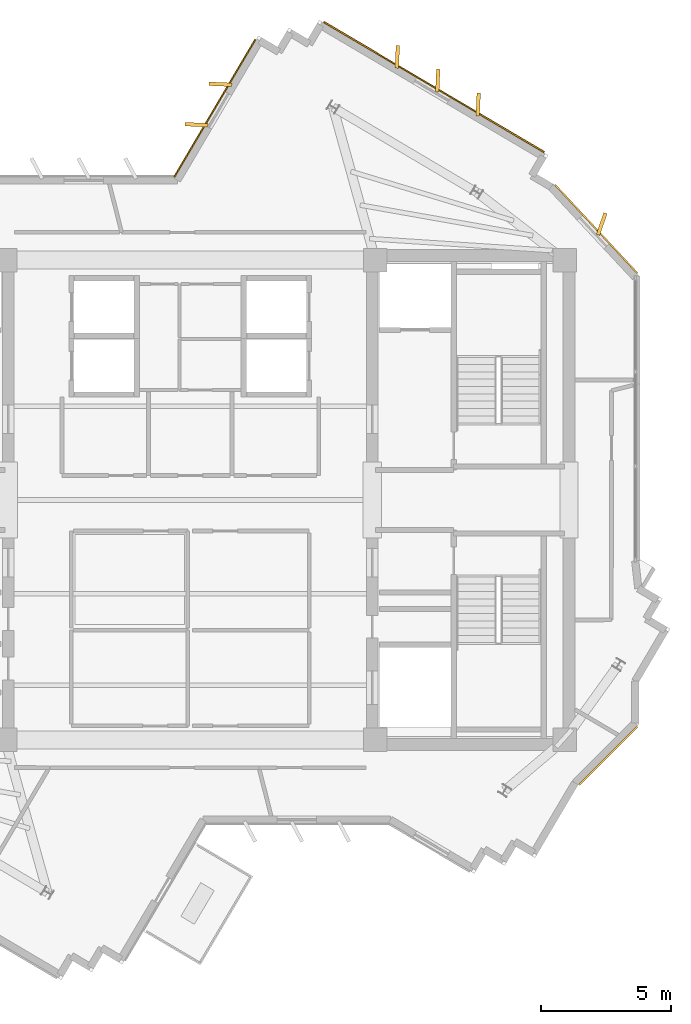
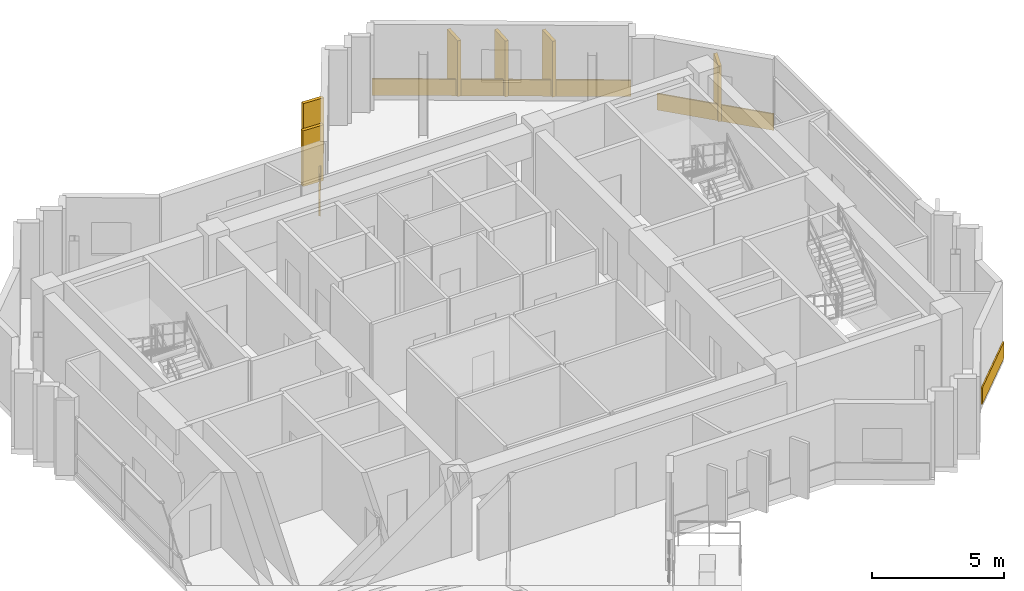
# One storey, part 10 of 10: 10 coverings.
"""IFC4 building model written with IfcOpenShell, lengths in metres."""

import ifcopenshell
import ifcopenshell.guid

model = None  # the IFC model being written
_history = None  # IfcOwnerHistory: only IFC2X3 demands one
_inside = {}  # id of a spatial element -> (the spatial element, [elements in it])
_under = {}  # id of a project, library or spatial element -> (it, [spatial elements below it])
_declared = {}  # id of a project -> (the project, [libraries it declares])
_typed = {}  # id of a type object -> (the type object, [elements of that type])
_made_of = {}  # id of a material, layer set ... -> (it, [elements and type objects made of it])


def new_model(schema):
    """Start an empty IFC model of exactly this schema.

    Asked for "IFC4X3", IfcOpenShell would pick the latest addendum, in which some entities
    have other attributes; the version numbers below select the first issue.
    IFC2X3 requires an IfcOwnerHistory on every rooted entity: one is made here for all.
    """
    global model, _history
    if schema == "IFC4X3":
        model = ifcopenshell.file(schema_version=(4, 3, 0, 0))
    else:
        model = ifcopenshell.file(schema=schema)
    _inside.clear()
    _under.clear()
    _declared.clear()
    _typed.clear()
    _made_of.clear()
    _history = None
    if model.schema == "IFC2X3":
        org = make("IfcOrganization", Name="unknown")
        user = make(
            "IfcPersonAndOrganization",
            ThePerson=make("IfcPerson", FamilyName="unknown"),
            TheOrganization=org,
        )
        app = make(
            "IfcApplication",
            ApplicationDeveloper=org,
            Version="unknown",
            ApplicationFullName="unknown",
            ApplicationIdentifier="unknown",
        )
        _history = make(
            "IfcOwnerHistory",
            OwningUser=user,
            OwningApplication=app,
            ChangeAction="ADDED",
            CreationDate=0,
        )
    return model


def make(cls, **values):
    """One entity of the class cls with the attributes given. An attribute that is None is left unset."""
    return model.create_entity(
        cls, **{name: value for name, value in values.items() if value is not None}
    )


def rooted(cls, **values):
    """An entity with a GlobalId (a new one), such as an element, a storey or a relation."""
    return make(cls, GlobalId=ifcopenshell.guid.new(), OwnerHistory=_history, **values)


def si_unit(unit_type, name, prefix=None):
    """IfcSIUnit, for example si_unit("LENGTHUNIT", "METRE", prefix="MILLI")."""
    return make("IfcSIUnit", UnitType=unit_type, Prefix=prefix, Name=name)


def assignment(units):
    """IfcUnitAssignment: the units of a project."""
    return None if units is None else make("IfcUnitAssignment", Units=units)


def point(xyz):
    """IfcCartesianPoint."""
    return None if xyz is None else make("IfcCartesianPoint", Coordinates=xyz)


def direction(xyz):
    """IfcDirection."""
    return None if xyz is None else make("IfcDirection", DirectionRatios=xyz)


def frame(location, z_axis=None, x_axis=None):
    """IfcAxis2Placement3D, a coordinate frame: its origin and axes. An axis left out is left unset."""
    return make(
        "IfcAxis2Placement3D",
        Location=point(location),
        Axis=direction(z_axis),
        RefDirection=direction(x_axis),
    )


def frame_2d(location, x_axis=None):
    """IfcAxis2Placement2D, a coordinate frame in the plane: its origin and x axis."""
    return make(
        "IfcAxis2Placement2D", Location=point(location), RefDirection=direction(x_axis)
    )


def origin():
    """The frame at (0, 0, 0) with its axes left unset."""
    return frame((0.0, 0.0, 0.0))


def origin_2d():
    """The frame at (0, 0) in the plane with its x axis left unset."""
    return frame_2d((0.0, 0.0))


def place(relative_to, where):
    """IfcLocalPlacement: puts the frame where relative to a parent placement (None: the world)."""
    return make(
        "IfcLocalPlacement", PlacementRelTo=relative_to, RelativePlacement=where
    )


def context(
    kind, dimensions, precision=None, world=None, true_north=None, identifier=None
):
    """IfcGeometricRepresentationContext, for example the 3D "Model" context."""
    return make(
        "IfcGeometricRepresentationContext",
        ContextIdentifier=identifier,
        ContextType=kind,
        CoordinateSpaceDimension=dimensions,
        Precision=precision,
        WorldCoordinateSystem=world,
        TrueNorth=true_north,
    )


def subcontext(parent, identifier, kind, view, scale=None):
    """IfcGeometricRepresentationSubContext, for example "Body" below "Model"."""
    return make(
        "IfcGeometricRepresentationSubContext",
        ContextIdentifier=identifier,
        ContextType=kind,
        ParentContext=parent,
        TargetScale=scale,
        TargetView=view,
    )


def project(units=None, contexts=None):
    """IfcProject with its units and contexts."""
    return rooted(
        "IfcProject",
        Name="project",
        RepresentationContexts=contexts,
        UnitsInContext=assignment(units),
    )


def spatial(cls, under=None, at=None, **own):
    """A site, building, storey or space (cls), placed at a placement, below another one or the project."""
    s = rooted(cls, ObjectPlacement=at, **own)
    if under is not None:
        _under.setdefault(under.id(), (under, []))[1].append(s)
    return s


def profile(cls, at=None, kind="AREA", **sizes):
    """A parametric profile (cls). Its sizes go by their IFC names, for example OverallWidth=200.0."""
    return make(cls, ProfileType=kind, Position=at, **sizes)


def rectangle(**sizes):
    """IfcRectangleProfileDef."""
    return profile("IfcRectangleProfileDef", **sizes)


def extrude(swept, where, along, depth):
    """IfcExtrudedAreaSolid: the profile swept, set in the frame where, extruded along a direction by depth."""
    return make(
        "IfcExtrudedAreaSolid",
        SweptArea=swept,
        Position=where,
        ExtrudedDirection=direction(along),
        Depth=depth,
    )


def shape(context_of_items, identifier, shape_type, items):
    """IfcShapeRepresentation: the items that make up one representation, for example the "Body"."""
    return make(
        "IfcShapeRepresentation",
        ContextOfItems=context_of_items,
        RepresentationIdentifier=identifier,
        RepresentationType=shape_type,
        Items=items,
    )


def source(mapping_origin, context_of_items, identifier, shape_type, items):
    """IfcRepresentationMap: a shape defined once, which mapped items show again and again."""
    return make(
        "IfcRepresentationMap",
        MappingOrigin=mapping_origin,
        MappedRepresentation=shape(context_of_items, identifier, shape_type, items),
    )


def transform(
    local_origin,
    x_axis=None,
    y_axis=None,
    z_axis=None,
    scale=None,
    scale2=None,
    scale3=None,
    uniform=True,
):
    """IfcCartesianTransformationOperator3D, or its non-uniform kind. x_axis, y_axis, z_axis: its Axis1, 2, 3."""
    if uniform:
        return make(
            "IfcCartesianTransformationOperator3D",
            Axis1=direction(x_axis),
            Axis2=direction(y_axis),
            LocalOrigin=point(local_origin),
            Scale=scale,
            Axis3=direction(z_axis),
        )
    return make(
        "IfcCartesianTransformationOperator3DnonUniform",
        Axis1=direction(x_axis),
        Axis2=direction(y_axis),
        LocalOrigin=point(local_origin),
        Scale=scale,
        Axis3=direction(z_axis),
        Scale2=scale2,
        Scale3=scale3,
    )


def mapped(mapping_source, mapping_target):
    """IfcMappedItem: shows the shape of a source again, moved by a transform."""
    return make(
        "IfcMappedItem", MappingSource=mapping_source, MappingTarget=mapping_target
    )


def material(Name=None, Category=None):
    """IfcMaterial."""
    return make("IfcMaterial", Name=Name, Category=Category)


def layer(
    of_material, thickness, ventilated=None, Name=None, Category=None, Priority=None
):
    """IfcMaterialLayer: one layer of a wall or slab, of a material (None: an air gap)."""
    return make(
        "IfcMaterialLayer",
        Material=of_material,
        LayerThickness=thickness,
        IsVentilated=ventilated,
        Name=Name,
        Category=Category,
        Priority=Priority,
    )


def layer_set(layers, Name=None):
    """IfcMaterialLayerSet."""
    return make("IfcMaterialLayerSet", MaterialLayers=layers, LayerSetName=Name)


def made_of(thing, what):
    """Note that an element or type object is made of a material, layer set ...; save() writes the relation."""
    if what is not None:
        _made_of.setdefault(what.id(), (what, []))[1].append(thing)
    return thing


def type_object(cls, material=None, **own):
    """A type object (cls), such as IfcWallType, which elements share."""
    return made_of(rooted(cls, **own), material)


def element(
    cls,
    number,
    at=None,
    inside=None,
    cuts=None,
    type_object=None,
    material=None,
    context=None,
    identifier="Body",
    shape_type=None,
    held_by="IfcProductDefinitionShape",
    body=None,
    shapes=None,
    **own,
):
    """One element of the class cls, such as IfcWall. Its Tag is "e" and its number.

    at: its placement. inside: the storey or other place that contains it. cuts: it is an
    opening in that element (IfcRelVoidsElement). A single representation is given by context,
    identifier, shape_type and body (its items); several are given by shapes. held_by: the class
    of the entity that holds the representations. save() writes the other relations.
    """
    e = rooted(cls, Tag="e%d" % number, ObjectPlacement=at, **own)
    if body is not None:
        shapes = [shape(context, identifier, shape_type, body)]
    if shapes is not None:
        e.Representation = make(held_by, Representations=shapes)
    if inside is not None:
        _inside.setdefault(inside.id(), (inside, []))[1].append(e)
    if cuts is not None:
        rooted(
            "IfcRelVoidsElement", RelatingBuildingElement=cuts, RelatedOpeningElement=e
        )
    if type_object is not None:
        _typed.setdefault(type_object.id(), (type_object, []))[1].append(e)
    return made_of(e, material)


def aggregate(whole, parts):
    """IfcRelAggregates: a whole, such as a stair, and the parts it consists of."""
    return rooted("IfcRelAggregates", RelatingObject=whole, RelatedObjects=parts)


def save(model, path):
    """Write the relations noted so far, then the file.

    IfcRelAggregates (storeys below a building ...), IfcRelContainedInSpatialStructure (elements
    in a storey), IfcRelDefinesByType, IfcRelAssociatesMaterial and IfcRelDeclares: one each for
    every whole, place, type object, material and project.
    """
    for whole, parts in _under.values():
        aggregate(whole, parts)
    for where, things in _inside.values():
        rooted(
            "IfcRelContainedInSpatialStructure",
            RelatedElements=things,
            RelatingStructure=where,
        )
    for kind, things in _typed.values():
        rooted("IfcRelDefinesByType", RelatedObjects=things, RelatingType=kind)
    for what, things in _made_of.values():
        rooted("IfcRelAssociatesMaterial", RelatedObjects=things, RelatingMaterial=what)
    for by, libraries in _declared.values():
        rooted("IfcRelDeclares", RelatingContext=by, RelatedDefinitions=libraries)
    model.write(path)


model = new_model("IFC4")

# Units and contexts
model_context = context("Model", 3, precision=1e-05, world=origin(), true_north=direction((0.0, 1.0)))
body_context = subcontext(model_context, "Body", "Model", "MODEL_VIEW")
ifc_project = project(units=[si_unit("LENGTHUNIT", "METRE"), si_unit("AREAUNIT", "SQUARE_METRE"), si_unit("VOLUMEUNIT", "CUBIC_METRE"), si_unit("PLANEANGLEUNIT", "RADIAN"), si_unit("MASSUNIT", "GRAM", prefix="KILO")], contexts=[model_context])

# Site, building, storey
site_placement = place(None, origin())
site = spatial("IfcSite", under=ifc_project, at=site_placement, CompositionType="ELEMENT")
building_placement = place(site_placement, origin())
building = spatial("IfcBuilding", under=site, at=building_placement, Name="Zahravan Cultural Tower", CompositionType="ELEMENT")
storey_placement = place(building_placement, frame((0.0, 0.0, 346.050048828125)))
storey = spatial("IfcBuildingStorey", under=building, at=storey_placement, Name="L84", CompositionType="ELEMENT", Elevation=346.050048828125)

# Coverings
ifc_material = material(Name="Terracotta ceramic cladding", Category="masonry")
ifc_layer = layer(ifc_material, 0.06005859375)
ifc_layer_set = layer_set([ifc_layer], Name="Terracotta ceramic cladding")
covering_type = type_object("IfcCoveringType", Name="COV-CLAD-TC60", PredefinedType="CLADDING", material=ifc_layer_set)
shared_shape_1 = source(origin(), body_context, "Body", "SweptSolid", [
    extrude(rectangle(XDim=9.820068359375, YDim=0.06005859375, at=origin_2d()), origin(), (0.0, 0.0, 1.0), 0.760009765625),
])
covering_1_placement = place(storey_placement, frame((45.344970703125, 42.8330078125, 0.02001953125), z_axis=(0.0, 0.0, 1.0), x_axis=(0.861185921638, -0.508290082898, 0.0)))
element("IfcCovering", 1, at=covering_1_placement, inside=storey, type_object=covering_type, Name="L84 Terracotta Spandrel Cladding 06", PredefinedType="CLADDING", context=body_context, shape_type="MappedRepresentation", body=[
    mapped(shared_shape_1, transform((0.0, 0.0, 0.0), x_axis=(1.0, 0.0, 0.0), y_axis=(0.0, 1.0, 0.0), z_axis=(0.0, 0.0, 1.0), scale=1.0)),
])
shared_shape_2 = source(origin(), body_context, "Body", "SweptSolid", [
    extrude(rectangle(XDim=0.8798828125, YDim=0.139892578125, at=origin_2d()), origin(), (0.0, 0.0, 1.0), 2.580078125),
])
for number, where, z_axis, x_axis, name in (
    (2, (36.237060546875, 41.3896484375, 0.0498046875), (0.0, 0.0, 1.0), (-0.999010552447, 0.044473768672, 0.0), "L84 Herringbone Terracotta Fin 01"),
    (3, (37.15185546875, 42.939697265625, 0.0498046875), (0.0, 0.0, 1.0), (-0.999010552447, 0.044473768672, 0.0), "L84 Herringbone Terracotta Fin 02"),
    (4, (43.939697265625, 43.993408203125, 0.0498046875), (0.0, 0.0, 1.0), (0.044491204688, 0.999009776081, 0.0), "L84 Herringbone Terracotta Fin 03"),
    (5, (45.48974609375, 43.078369140625, 0.0498046875), (0.0, 0.0, 1.0), (0.044491204688, 0.999009776081, 0.0), "L84 Herringbone Terracotta Fin 04"),
    (6, (47.0400390625, 42.16357421875, 0.0498046875), (0.0, 0.0, 1.0), (0.044491204688, 0.999009776081, 0.0), "L84 Herringbone Terracotta Fin 05"),
    (7, (51.775390625, 37.58056640625, 0.0498046875), (0.0, 0.0, 1.0), (0.32591468324, 0.945399185132, 0.0), "L84 Herringbone Terracotta Fin 06"),
):
    element("IfcCovering", number, at=place(storey_placement, frame(where, z_axis=z_axis, x_axis=x_axis)), inside=storey, type_object=covering_type, Name=name, PredefinedType="CLADDING", context=body_context, shape_type="MappedRepresentation", body=[
        mapped(shared_shape_2, transform((0.0, 0.0, 0.0), x_axis=(1.0, 0.0, 0.0), y_axis=(0.0, 1.0, 0.0), z_axis=(0.0, 0.0, 1.0), scale=1.0)),
    ])
shared_shape_3 = source(origin(), body_context, "Body", "SweptSolid", [
    extrude(rectangle(XDim=6.11474609375, YDim=0.06005859375, at=origin_2d()), origin(), (0.0, 0.0, 1.0), 0.760009765625),
])
covering_2_placement = place(storey_placement, frame((36.93994140625, 42.02001953125, 0.02001953125), z_axis=(0.0, 0.0, 1.0), x_axis=(0.508275052291, 0.861194792842, 0.0)))
element("IfcCovering", 8, at=covering_2_placement, inside=storey, type_object=covering_type, Name="L84 Terracotta Spandrel Cladding 01", PredefinedType="CLADDING", context=body_context, shape_type="MappedRepresentation", body=[
    mapped(shared_shape_3, transform((0.0, 0.0, 0.0), x_axis=(1.0, 0.0, 0.0), y_axis=(0.0, 1.0, 0.0), z_axis=(0.0, 0.0, 1.0), scale=1.0)),
])
shared_shape_4 = source(origin(), body_context, "Body", "SweptSolid", [
    extrude(rectangle(XDim=4.63427734375, YDim=0.06005859375, at=origin_2d()), origin(), (0.0, 0.0, 1.0), 0.760009765625),
])
covering_3_placement = place(storey_placement, frame((51.56689453125, 37.38623046875, 0.02001953125), z_axis=(0.0, 0.0, 1.0), x_axis=(0.681730259128, -0.731603617944, 0.0)))
element("IfcCovering", 9, at=covering_3_placement, inside=storey, type_object=covering_type, Name="L84 Terracotta Spandrel Cladding 09", PredefinedType="CLADDING", context=body_context, shape_type="MappedRepresentation", body=[
    mapped(shared_shape_4, transform((0.0, 0.0, 0.0), x_axis=(1.0, 0.0, 0.0), y_axis=(0.0, 1.0, 0.0), z_axis=(0.0, 0.0, 1.0), scale=1.0)),
])
shared_shape_5 = source(origin(), body_context, "Body", "SweptSolid", [
    extrude(rectangle(XDim=3.160400390625, YDim=0.06005859375, at=origin_2d()), origin(), (0.0, 0.0, 1.0), 0.760009765625),
])
covering_4_placement = place(storey_placement, frame((52.02392578125, 17.1884765625, 0.02001953125), z_axis=(0.0, 0.0, 1.0), x_axis=(-0.707094439737, -0.70711912242, 0.0)))
element("IfcCovering", 10, at=covering_4_placement, inside=storey, type_object=covering_type, Name="L84 Terracotta Spandrel Cladding 16", PredefinedType="CLADDING", context=body_context, shape_type="MappedRepresentation", body=[
    mapped(shared_shape_5, transform((0.0, 0.0, 0.0), x_axis=(1.0, 0.0, 0.0), y_axis=(0.0, 1.0, 0.0), z_axis=(0.0, 0.0, 1.0), scale=1.0)),
])

save(model, "model.ifc")
